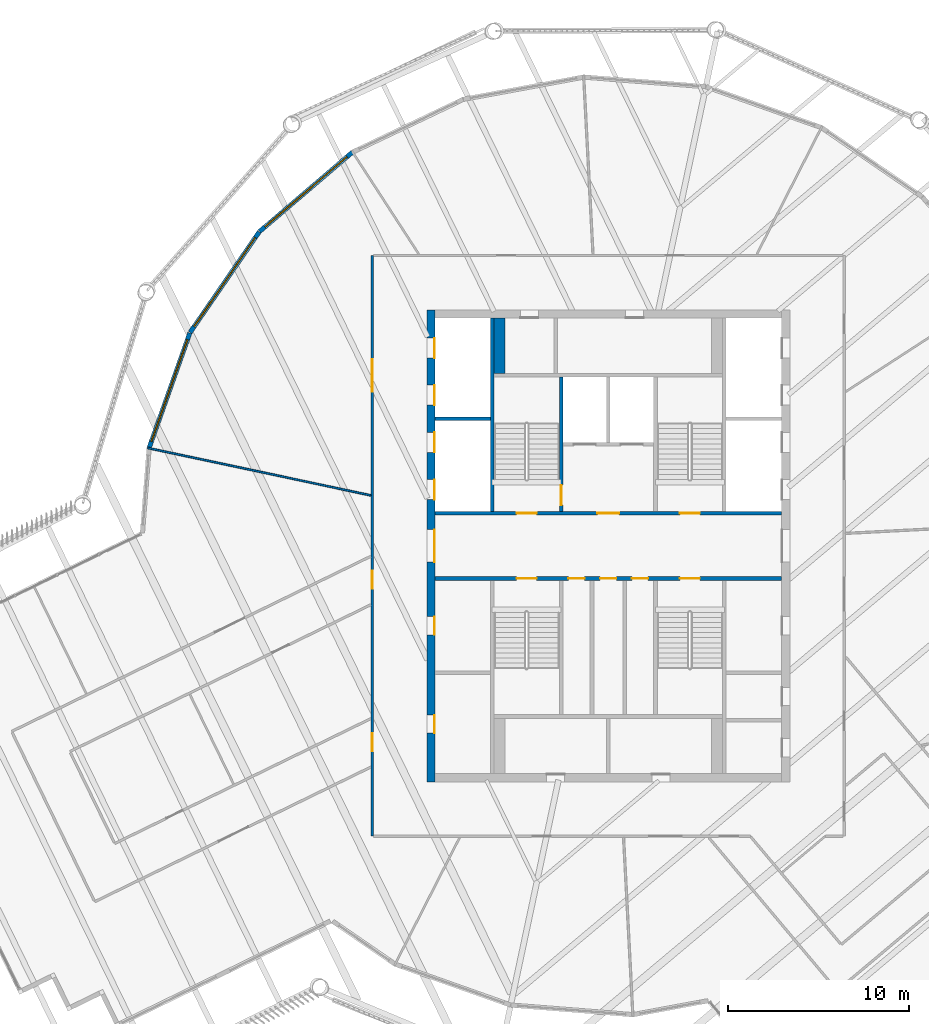
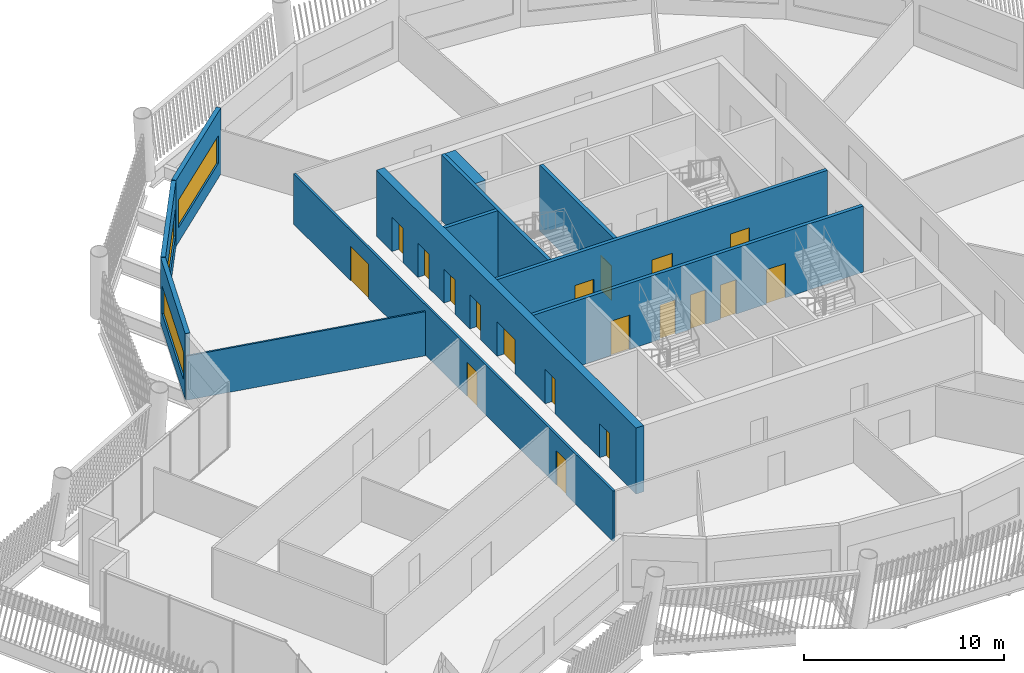
# One storey, part 21 of 31: 19 doors, 12 walls, 3 windows, 22 openings.
"""IFC4 building model written with IfcOpenShell, lengths in metres."""

from ifc_helpers import new_model, si_unit, direction, frame, frame_2d, origin, place, context, subcontext, project, spatial, rectangle, extrude, material, layer, layer_set, type_object, element, fill, save


model = new_model("IFC4")

# Units and contexts
model_context = context("Model", 3, precision=1e-05, world=origin(), true_north=direction((0.0, 1.0)))
body_context = subcontext(model_context, "Body", "Model", "MODEL_VIEW")
ifc_project = project(units=[si_unit("LENGTHUNIT", "METRE"), si_unit("AREAUNIT", "SQUARE_METRE"), si_unit("VOLUMEUNIT", "CUBIC_METRE"), si_unit("PLANEANGLEUNIT", "RADIAN"), si_unit("MASSUNIT", "GRAM", prefix="KILO")], contexts=[model_context])

# Site, building, storey
site_placement = place(None, origin())
site = spatial("IfcSite", under=ifc_project, at=site_placement, CompositionType="ELEMENT")
building_placement = place(site_placement, origin())
building = spatial("IfcBuilding", under=site, at=building_placement, Name="Tarsis Ring Headquarters", CompositionType="ELEMENT")
storey_placement = place(building_placement, frame((0.0, 0.0, 390.199951171875)))
storey = spatial("IfcBuildingStorey", under=building, at=storey_placement, Name="L92", CompositionType="ELEMENT", Elevation=390.199951171875)

# Wall, openings, doors
ifc_material_1 = material(Name="Concrete C50/60", Category="concrete")
ifc_layer_1 = layer(ifc_material_1, 0.449951171875)
ifc_layer_set_1 = layer_set([ifc_layer_1], Name="Core wall 450 C50/60")
wall_type_1 = type_object("IfcWallType", Name="Core wall 450 C50/60", PredefinedType="SHEAR", material=ifc_layer_set_1)
wall_1_placement = place(storey_placement, frame((-9.77490234375, -13.0, 0.0), z_axis=(0.0, 0.0, 1.0), x_axis=(0.0, 1.0, 0.0)))
wall_1 = element("IfcWall", 1, at=wall_1_placement, inside=storey, type_object=wall_type_1, Name="Core wall OW", PredefinedType="SHEAR", context=body_context, shape_type="SweptSolid", body=[
    extrude(rectangle(XDim=26.0, YDim=0.449951171875, at=frame_2d((13.0, 0.0))), origin(), (0.0, 0.0, 1.0), 4.0400390625),
])
opening_1_placement = place(wall_1_placement, frame((2.675048828125, 0.0, 0.0)))
opening_1 = element("IfcOpeningElement", 2, at=opening_1_placement, cuts=wall_1, Name="Opening L92-C01", PredefinedType="OPENING", context=body_context, shape_type="SweptSolid", body=[
    extrude(rectangle(XDim=1.0, YDim=2.10009765625, at=frame_2d((0.5, 1.050048828125))), frame((0.0, 0.23486328125, 0.0), z_axis=(0.0, -1.0, 0.0), x_axis=(1.0, 0.0, 0.0)), (0.0, 0.0, 1.0), 0.469970703125),
])
opening_2_placement = place(wall_1_placement, frame((8.10009765625, 0.0, 0.0)))
opening_2 = element("IfcOpeningElement", 3, at=opening_2_placement, cuts=wall_1, Name="Opening L92-C02", PredefinedType="OPENING", context=body_context, shape_type="SweptSolid", body=[
    extrude(rectangle(XDim=1.0, YDim=2.10009765625, at=frame_2d((0.5, 1.050048828125))), frame((0.0, 0.23486328125, 0.0), z_axis=(0.0, -1.0, 0.0), x_axis=(1.0, 0.0, 0.0)), (0.0, 0.0, 1.0), 0.469970703125),
])
opening_3_placement = place(wall_1_placement, frame((12.10009765625, 0.0, 0.0)))
opening_3 = element("IfcOpeningElement", 4, at=opening_3_placement, cuts=wall_1, Name="Opening L92-C03", PredefinedType="OPENING", context=body_context, shape_type="SweptSolid", body=[
    extrude(rectangle(XDim=1.800048828125, YDim=2.10009765625, at=frame_2d((0.89990234375, 1.050048828125))), frame((0.0, 0.23486328125, 0.0), z_axis=(0.0, -1.0, 0.0), x_axis=(1.0, 0.0, 0.0)), (0.0, 0.0, 1.0), 0.469970703125),
])
opening_4_placement = place(wall_1_placement, frame((15.550048828125, 0.0, 0.0)))
opening_4 = element("IfcOpeningElement", 5, at=opening_4_placement, cuts=wall_1, Name="Opening LD-HR1", PredefinedType="OPENING", context=body_context, shape_type="SweptSolid", body=[
    extrude(rectangle(XDim=1.10009765625, YDim=2.10009765625, at=frame_2d((0.550048828125, 1.050048828125))), frame((0.0, 0.23486328125, 0.0), z_axis=(0.0, -1.0, 0.0), x_axis=(1.0, 0.0, 0.0)), (0.0, 0.0, 1.0), 0.469970703125),
])
opening_5_placement = place(wall_1_placement, frame((18.14990234375, 0.0, 0.0)))
opening_5 = element("IfcOpeningElement", 6, at=opening_5_placement, cuts=wall_1, Name="Opening LD-HR2", PredefinedType="OPENING", context=body_context, shape_type="SweptSolid", body=[
    extrude(rectangle(XDim=1.10009765625, YDim=2.10009765625, at=frame_2d((0.550048828125, 1.050048828125))), frame((0.0, 0.23486328125, 0.0), z_axis=(0.0, -1.0, 0.0), x_axis=(1.0, 0.0, 0.0)), (0.0, 0.0, 1.0), 0.469970703125),
])
opening_6_placement = place(wall_1_placement, frame((20.75, 0.0, 0.0)))
opening_6 = element("IfcOpeningElement", 7, at=opening_6_placement, cuts=wall_1, Name="Opening LD-HR3", PredefinedType="OPENING", context=body_context, shape_type="SweptSolid", body=[
    extrude(rectangle(XDim=1.10009765625, YDim=2.10009765625, at=frame_2d((0.550048828125, 1.050048828125))), frame((0.0, 0.23486328125, 0.0), z_axis=(0.0, -1.0, 0.0), x_axis=(1.0, 0.0, 0.0)), (0.0, 0.0, 1.0), 0.469970703125),
])
opening_7_placement = place(wall_1_placement, frame((23.35009765625, 0.0, 0.0)))
opening_7 = element("IfcOpeningElement", 8, at=opening_7_placement, cuts=wall_1, Name="Opening LD-HR4", PredefinedType="OPENING", context=body_context, shape_type="SweptSolid", body=[
    extrude(rectangle(XDim=1.10009765625, YDim=2.10009765625, at=frame_2d((0.550048828125, 1.050048828125))), frame((0.0, 0.23486328125, 0.0), z_axis=(0.0, -1.0, 0.0), x_axis=(1.0, 0.0, 0.0)), (0.0, 0.0, 1.0), 0.469970703125),
])
ifc_material_2 = material(Name="Steel S355", Category="steel")
door_type_1 = type_object("IfcDoorType", Name="Core entry door 1800x2100", OperationType="DOUBLE_DOOR_SINGLE_SWING", PredefinedType="DOOR", material=ifc_material_2)
door_1_placement = place(opening_3_placement, origin())
door_1 = element("IfcDoor", 9, at=door_1_placement, inside=storey, type_object=door_type_1, Name="Core entry door L92", OperationType="DOUBLE_DOOR_SINGLE_SWING", OverallHeight=2.10009765625, OverallWidth=1.800048828125, PredefinedType="DOOR", context=body_context, shape_type="SweptSolid", body=[
    extrude(rectangle(XDim=1.800048828125, YDim=2.10009765625, at=frame_2d((0.89990234375, 1.050048828125))), frame((0.0, -0.1748046875, 0.0), z_axis=(0.0, -1.0, 0.0), x_axis=(1.0, 0.0, 0.0)), (0.0, 0.0, 1.0), 0.050048828125),
])
fill(opening_3, door_1)
door_type_2 = type_object("IfcDoorType", Name="Core room door 1000x2100", OperationType="SINGLE_SWING_LEFT", PredefinedType="DOOR", material=ifc_material_2)
door_2_placement = place(opening_1_placement, origin())
door_2 = element("IfcDoor", 10, at=door_2_placement, inside=storey, type_object=door_type_2, Name="Core room door L92", OperationType="SINGLE_SWING_LEFT", OverallHeight=2.10009765625, OverallWidth=1.0, PredefinedType="DOOR", context=body_context, shape_type="SweptSolid", body=[
    extrude(rectangle(XDim=1.0, YDim=2.10009765625, at=frame_2d((0.5, 1.050048828125))), frame((0.0, -0.1748046875, 0.0), z_axis=(0.0, -1.0, 0.0), x_axis=(1.0, 0.0, 0.0)), (0.0, 0.0, 1.0), 0.050048828125),
])
fill(opening_1, door_2)
door_3_placement = place(opening_2_placement, origin())
door_3 = element("IfcDoor", 11, at=door_3_placement, inside=storey, type_object=door_type_2, Name="Core room door L92", OperationType="SINGLE_SWING_LEFT", OverallHeight=2.10009765625, OverallWidth=1.0, PredefinedType="DOOR", context=body_context, shape_type="SweptSolid", body=[
    extrude(rectangle(XDim=1.0, YDim=2.10009765625, at=frame_2d((0.5, 1.050048828125))), frame((0.0, -0.1748046875, 0.0), z_axis=(0.0, -1.0, 0.0), x_axis=(1.0, 0.0, 0.0)), (0.0, 0.0, 1.0), 0.050048828125),
])
fill(opening_2, door_3)
door_type_3 = type_object("IfcDoorType", Name="Landing door 1100x2100", OperationType="SLIDING_TO_LEFT", PredefinedType="DOOR", material=ifc_material_2)
door_4_placement = place(opening_4_placement, origin())
door_4 = element("IfcDoor", 12, at=door_4_placement, inside=storey, type_object=door_type_3, Name="Landing door HR1 L92", OperationType="SLIDING_TO_LEFT", OverallHeight=2.10009765625, OverallWidth=1.10009765625, PredefinedType="DOOR", context=body_context, shape_type="SweptSolid", body=[
    extrude(rectangle(XDim=1.10009765625, YDim=2.10009765625, at=frame_2d((0.550048828125, 1.050048828125))), frame((0.0, -0.1748046875, 0.0), z_axis=(0.0, -1.0, 0.0), x_axis=(1.0, 0.0, 0.0)), (0.0, 0.0, 1.0), 0.050048828125),
])
fill(opening_4, door_4)
door_5_placement = place(opening_5_placement, origin())
door_5 = element("IfcDoor", 13, at=door_5_placement, inside=storey, type_object=door_type_3, Name="Landing door HR2 L92", OperationType="SLIDING_TO_LEFT", OverallHeight=2.10009765625, OverallWidth=1.10009765625, PredefinedType="DOOR", context=body_context, shape_type="SweptSolid", body=[
    extrude(rectangle(XDim=1.10009765625, YDim=2.10009765625, at=frame_2d((0.550048828125, 1.050048828125))), frame((0.0, -0.1748046875, 0.0), z_axis=(0.0, -1.0, 0.0), x_axis=(1.0, 0.0, 0.0)), (0.0, 0.0, 1.0), 0.050048828125),
])
fill(opening_5, door_5)
door_6_placement = place(opening_6_placement, origin())
door_6 = element("IfcDoor", 14, at=door_6_placement, inside=storey, type_object=door_type_3, Name="Landing door HR3 L92", OperationType="SLIDING_TO_LEFT", OverallHeight=2.10009765625, OverallWidth=1.10009765625, PredefinedType="DOOR", context=body_context, shape_type="SweptSolid", body=[
    extrude(rectangle(XDim=1.10009765625, YDim=2.10009765625, at=frame_2d((0.550048828125, 1.050048828125))), frame((0.0, -0.1748046875, 0.0), z_axis=(0.0, -1.0, 0.0), x_axis=(1.0, 0.0, 0.0)), (0.0, 0.0, 1.0), 0.050048828125),
])
fill(opening_6, door_6)
door_7_placement = place(opening_7_placement, origin())
door_7 = element("IfcDoor", 15, at=door_7_placement, inside=storey, type_object=door_type_3, Name="Landing door HR4 L92", OperationType="SLIDING_TO_LEFT", OverallHeight=2.10009765625, OverallWidth=1.10009765625, PredefinedType="DOOR", context=body_context, shape_type="SweptSolid", body=[
    extrude(rectangle(XDim=1.10009765625, YDim=2.10009765625, at=frame_2d((0.550048828125, 1.050048828125))), frame((0.0, -0.1748046875, 0.0), z_axis=(0.0, -1.0, 0.0), x_axis=(1.0, 0.0, 0.0)), (0.0, 0.0, 1.0), 0.050048828125),
])
fill(opening_7, door_7)

# Wall
ifc_material_3 = material(Name="Gypsum board on steel studs", Category="steel")
ifc_layer_2 = layer(ifc_material_3, 0.10009765625)
ifc_layer_set_2 = layer_set([ifc_layer_2], Name="FL partition 100 unrated")
wall_type_2 = type_object("IfcWallType", Name="FL partition 100 unrated", PredefinedType="PARTITIONING", material=ifc_layer_set_2)
wall_2_placement = place(storey_placement, frame((-25.380859375, 5.39501953125, 0.0), z_axis=(0.0, 0.0, 1.0), x_axis=(0.978145391621, -0.207922083603, 0.0)))
element("IfcWall", 16, at=wall_2_placement, inside=storey, type_object=wall_type_2, Name="Partition PW3", PredefinedType="PARTITIONING", context=body_context, shape_type="SweptSolid", body=[
    extrude(rectangle(XDim=12.58740234375, YDim=0.10009765625, at=frame_2d((6.293701171875, 0.0))), origin(), (0.0, 0.0, 1.0), 2.699951171875),
])

# Wall, openings, doors
ifc_layer_3 = layer(ifc_material_3, 0.125)
ifc_layer_set_3 = layer_set([ifc_layer_3], Name="FL partition 125 EI 60 H3070")
wall_type_3 = type_object("IfcWallType", Name="FL partition 125 EI 60 H3070", PredefinedType="PARTITIONING", material=ifc_layer_set_3)
wall_3_placement = place(storey_placement, frame((-13.0, -16.0, 0.0), z_axis=(0.0, 0.0, 1.0), x_axis=(0.0, 1.0, 0.0)))
wall_3 = element("IfcWall", 17, at=wall_3_placement, inside=storey, type_object=wall_type_3, Name="Partition PW1H307", PredefinedType="PARTITIONING", context=body_context, shape_type="SweptSolid", body=[
    extrude(rectangle(XDim=32.0, YDim=0.125, at=frame_2d((16.0, 0.0))), origin(), (0.0, 0.0, 1.0), 3.070068359375),
])
opening_8_placement = place(wall_3_placement, frame((24.481689453125, 0.0, 0.0)))
opening_8 = element("IfcOpeningElement", 18, at=opening_8_placement, cuts=wall_3, Name="Opening D92.03", PredefinedType="OPENING", context=body_context, shape_type="SweptSolid", body=[
    extrude(rectangle(XDim=1.800048828125, YDim=2.10009765625, at=frame_2d((0.89990234375, 1.050048828125))), frame((0.0, 0.072509765625, 0.0), z_axis=(0.0, -1.0, 0.0), x_axis=(1.0, 0.0, 0.0)), (0.0, 0.0, 1.0), 0.14501953125),
])
opening_9_placement = place(wall_3_placement, frame((4.686767578125, 0.0, 0.0)))
opening_9 = element("IfcOpeningElement", 19, at=opening_9_placement, cuts=wall_3, Name="Opening D92.17", PredefinedType="OPENING", context=body_context, shape_type="SweptSolid", body=[
    extrude(rectangle(XDim=1.0, YDim=2.10009765625, at=frame_2d((0.5, 1.050048828125))), frame((0.0, 0.072509765625, 0.0), z_axis=(0.0, -1.0, 0.0), x_axis=(1.0, 0.0, 0.0)), (0.0, 0.0, 1.0), 0.14501953125),
])
opening_10_placement = place(wall_3_placement, frame((13.632080078125, 0.0, 0.0)))
opening_10 = element("IfcOpeningElement", 20, at=opening_10_placement, cuts=wall_3, Name="Opening D92.18", PredefinedType="OPENING", context=body_context, shape_type="SweptSolid", body=[
    extrude(rectangle(XDim=1.0, YDim=2.10009765625, at=frame_2d((0.5, 1.050048828125))), frame((0.0, 0.072509765625, 0.0), z_axis=(0.0, -1.0, 0.0), x_axis=(1.0, 0.0, 0.0)), (0.0, 0.0, 1.0), 0.14501953125),
])
ifc_material_4 = material(Name="Fire-rated timber door leaf in steel frame", Category="steel")
door_type_4 = type_object("IfcDoorType", Name="FL door FD60-1000", OperationType="NOTDEFINED", PredefinedType="DOOR", material=ifc_material_4)
door_8_placement = place(opening_9_placement, origin())
door_8 = element("IfcDoor", 21, at=door_8_placement, inside=storey, type_object=door_type_4, Name="Door D92.17", OperationType="SINGLE_SWING_LEFT", OverallHeight=2.10009765625, OverallWidth=1.0, PredefinedType="DOOR", context=body_context, shape_type="SweptSolid", body=[
    extrude(rectangle(XDim=1.0, YDim=2.10009765625, at=frame_2d((0.5, 1.050048828125))), frame((0.0, 0.02490234375, 0.0), z_axis=(0.0, -1.0, 0.0), x_axis=(1.0, 0.0, 0.0)), (0.0, 0.0, 1.0), 0.050048828125),
])
fill(opening_9, door_8)
door_9_placement = place(opening_10_placement, origin())
door_9 = element("IfcDoor", 22, at=door_9_placement, inside=storey, type_object=door_type_4, Name="Door D92.18", OperationType="SINGLE_SWING_RIGHT", OverallHeight=2.10009765625, OverallWidth=1.0, PredefinedType="DOOR", context=body_context, shape_type="SweptSolid", body=[
    extrude(rectangle(XDim=1.0, YDim=2.10009765625, at=frame_2d((0.5, 1.050048828125))), frame((0.0, 0.02490234375, 0.0), z_axis=(0.0, -1.0, 0.0), x_axis=(1.0, 0.0, 0.0)), (0.0, 0.0, 1.0), 0.050048828125),
])
fill(opening_10, door_9)
door_type_5 = type_object("IfcDoorType", Name="FL door FD60-1800", OperationType="DOUBLE_DOOR_SINGLE_SWING", PredefinedType="DOOR", material=ifc_material_4)
door_10_placement = place(opening_8_placement, origin())
door_10 = element("IfcDoor", 23, at=door_10_placement, inside=storey, type_object=door_type_5, Name="Door D92.03", OperationType="DOUBLE_DOOR_SINGLE_SWING", OverallHeight=2.10009765625, OverallWidth=1.800048828125, PredefinedType="DOOR", context=body_context, shape_type="SweptSolid", body=[
    extrude(rectangle(XDim=1.800048828125, YDim=2.10009765625, at=frame_2d((0.89990234375, 1.050048828125))), frame((0.0, 0.02490234375, 0.0), z_axis=(0.0, -1.0, 0.0), x_axis=(1.0, 0.0, 0.0)), (0.0, 0.0, 1.0), 0.050048828125),
])
fill(opening_8, door_10)

# Wall, opening, window
ifc_material_5 = material(Name="Terracotta clad insulated panel wall", Category="masonry")
ifc_layer_4 = layer(ifc_material_5, 0.25)
ifc_layer_set_4 = layer_set([ifc_layer_4], Name="Facade wall terracotta panel 250")
wall_type_4 = type_object("IfcWallType", Name="Facade wall terracotta panel 250", PredefinedType="STANDARD", material=ifc_layer_set_4)
wall_4_placement = place(storey_placement, frame((-14.1044921875, 21.68896484375, 0.0), z_axis=(0.0, 0.0, 1.0), x_axis=(-0.760409179115, -0.649444285769, 0.0)))
wall_4 = element("IfcWall", 24, at=wall_4_placement, inside=storey, type_object=wall_type_4, Name="External wall L92-27", PredefinedType="STANDARD", context=body_context, shape_type="SweptSolid", body=[
    extrude(rectangle(XDim=6.721435546875, YDim=0.25, at=frame_2d((3.36083984375, 0.0))), origin(), (0.0, 0.0, 1.0), 4.0400390625),
])
opening_11_placement = place(wall_4_placement, frame((0.3857421875, 0.0, 0.89990234375)))
opening_11 = element("IfcOpeningElement", 25, at=opening_11_placement, cuts=wall_4, Name="Opening WN07", PredefinedType="OPENING", context=body_context, shape_type="SweptSolid", body=[
    extrude(rectangle(XDim=5.949951171875, YDim=1.699951171875, at=frame_2d((2.97509765625, 0.85009765625))), frame((0.0, 0.135009765625, 0.0), z_axis=(0.0, -1.0, 0.0), x_axis=(1.0, 0.0, 0.0)), (0.0, 0.0, 1.0), 0.27001953125),
])
ifc_material_6 = material(Name="Aluminium framed double glazing", Category="aluminium")
window_type = type_object("IfcWindowType", Name="Facade window 5950 x 1700", PartitioningType="SINGLE_PANEL", PredefinedType="WINDOW", material=ifc_material_6)
window_1_placement = place(opening_11_placement, origin())
window_1 = element("IfcWindow", 26, at=window_1_placement, inside=storey, type_object=window_type, Name="Window L92-27.1", OverallHeight=1.699951171875, OverallWidth=5.949951171875, PartitioningType="SINGLE_PANEL", PredefinedType="WINDOW", context=body_context, shape_type="SweptSolid", body=[
    extrude(rectangle(XDim=5.949951171875, YDim=1.699951171875, at=frame_2d((2.97509765625, 0.85009765625))), frame((0.0, 0.030029296875, 0.0), z_axis=(0.0, -1.0, 0.0), x_axis=(1.0, 0.0, 0.0)), (0.0, 0.0, 1.0), 0.06005859375),
])
fill(opening_11, window_1)

wall_5_placement = place(storey_placement, frame((-19.2373046875, 17.299560546875, 0.0), z_axis=(0.0, 0.0, 1.0), x_axis=(-0.566396247185, -0.824133054291, 0.0)))
wall_5 = element("IfcWall", 27, at=wall_5_placement, inside=storey, type_object=wall_type_4, Name="External wall L92-28", PredefinedType="STANDARD", context=body_context, shape_type="SweptSolid", body=[
    extrude(rectangle(XDim=6.7216796875, YDim=0.25, at=frame_2d((3.36083984375, 0.0))), origin(), (0.0, 0.0, 1.0), 4.0400390625),
])
opening_12_placement = place(wall_5_placement, frame((0.3857421875, 0.0, 0.89990234375)))
opening_12 = element("IfcOpeningElement", 28, at=opening_12_placement, cuts=wall_5, Name="Opening WN07", PredefinedType="OPENING", context=body_context, shape_type="SweptSolid", body=[
    extrude(rectangle(XDim=5.949951171875, YDim=1.699951171875, at=frame_2d((2.97509765625, 0.85009765625))), frame((0.0, 0.135009765625, 0.0), z_axis=(0.0, -1.0, 0.0), x_axis=(1.0, 0.0, 0.0)), (0.0, 0.0, 1.0), 0.27001953125),
])
window_2_placement = place(opening_12_placement, origin())
window_2 = element("IfcWindow", 29, at=window_2_placement, inside=storey, type_object=window_type, Name="Window L92-28.1", OverallHeight=1.699951171875, OverallWidth=5.949951171875, PartitioningType="SINGLE_PANEL", PredefinedType="WINDOW", context=body_context, shape_type="SweptSolid", body=[
    extrude(rectangle(XDim=5.949951171875, YDim=1.699951171875, at=frame_2d((2.97509765625, 0.85009765625))), frame((0.0, 0.030029296875, 0.0), z_axis=(0.0, -1.0, 0.0), x_axis=(1.0, 0.0, 0.0)), (0.0, 0.0, 1.0), 0.06005859375),
])
fill(opening_12, window_2)

wall_6_placement = place(storey_placement, frame((-23.059326171875, 11.73095703125, 0.0), z_axis=(0.0, 0.0, 1.0), x_axis=(-0.333804109567, -0.942642464796, 0.0)))
wall_6 = element("IfcWall", 30, at=wall_6_placement, inside=storey, type_object=wall_type_4, Name="External wall L92-29", PredefinedType="STANDARD", context=body_context, shape_type="SweptSolid", body=[
    extrude(rectangle(XDim=6.721435546875, YDim=0.25, at=frame_2d((3.36083984375, 0.0))), origin(), (0.0, 0.0, 1.0), 4.0400390625),
])
opening_13_placement = place(wall_6_placement, frame((0.3857421875, 0.0, 0.89990234375)))
opening_13 = element("IfcOpeningElement", 31, at=opening_13_placement, cuts=wall_6, Name="Opening WN07", PredefinedType="OPENING", context=body_context, shape_type="SweptSolid", body=[
    extrude(rectangle(XDim=5.949951171875, YDim=1.699951171875, at=frame_2d((2.97509765625, 0.85009765625))), frame((0.0, 0.135009765625, 0.0), z_axis=(0.0, -1.0, 0.0), x_axis=(1.0, 0.0, 0.0)), (0.0, 0.0, 1.0), 0.27001953125),
])
window_3_placement = place(opening_13_placement, origin())
window_3 = element("IfcWindow", 32, at=window_3_placement, inside=storey, type_object=window_type, Name="Window L92-29.1", OverallHeight=1.699951171875, OverallWidth=5.949951171875, PartitioningType="SINGLE_PANEL", PredefinedType="WINDOW", context=body_context, shape_type="SweptSolid", body=[
    extrude(rectangle(XDim=5.949951171875, YDim=1.699951171875, at=frame_2d((2.97509765625, 0.85009765625))), frame((0.0, 0.030029296875, 0.0), z_axis=(0.0, -1.0, 0.0), x_axis=(1.0, 0.0, 0.0)), (0.0, 0.0, 1.0), 0.06005859375),
])
fill(opening_13, window_3)

# Wall
ifc_material_7 = material(Name="Concrete C32/40", Category="concrete")
ifc_layer_5 = layer(ifc_material_7, 0.60009765625)
ifc_layer_set_5 = layer_set([ifc_layer_5], Name="Shaft end wall 600 C32/40")
wall_type_5 = type_object("IfcWallType", Name="Shaft end wall 600 C32/40", PredefinedType="SOLIDWALL", material=ifc_layer_set_5)
wall_7_placement = place(storey_placement, frame((-6.0, 9.5, 0.0), z_axis=(0.0, 0.0, 1.0), x_axis=(0.0, 1.0, 0.0)))
element("IfcWall", 33, at=wall_7_placement, inside=storey, type_object=wall_type_5, Name="Core shaft wall NNE1", PredefinedType="SOLIDWALL", context=body_context, shape_type="SweptSolid", body=[
    extrude(rectangle(XDim=3.050048828125, YDim=0.60009765625, at=frame_2d((1.52490234375, 0.0))), origin(), (0.0, 0.0, 1.0), 4.0400390625),
])

# Wall, openings, doors
ifc_layer_6 = layer(ifc_material_7, 0.199951171875)
ifc_layer_set_6 = layer_set([ifc_layer_6], Name="Shaft wall 200 C32/40")
wall_type_6 = type_object("IfcWallType", Name="Shaft wall 200 C32/40", PredefinedType="SOLIDWALL", material=ifc_layer_set_6)
wall_8_placement = place(storey_placement, frame((-9.550048828125, 1.800048828125, 0.0), z_axis=(0.0, 0.0, 1.0), x_axis=(1.0, 0.0, 0.0)))
wall_8 = element("IfcWall", 34, at=wall_8_placement, inside=storey, type_object=wall_type_6, Name="Core shaft wall CN", PredefinedType="SOLIDWALL", context=body_context, shape_type="SweptSolid", body=[
    extrude(rectangle(XDim=19.10009765625, YDim=0.199951171875, at=frame_2d((9.550048828125, 0.0))), origin(), (0.0, 0.0, 1.0), 4.0400390625),
])
opening_14_placement = place(wall_8_placement, frame((4.5, 0.0, 0.0)))
opening_14 = element("IfcOpeningElement", 35, at=opening_14_placement, cuts=wall_8, Name="Opening L92-C20", PredefinedType="OPENING", context=body_context, shape_type="SweptSolid", body=[
    extrude(rectangle(XDim=1.10009765625, YDim=2.10009765625, at=frame_2d((0.550048828125, 1.050048828125))), frame((0.0, 0.10986328125, 0.0), z_axis=(0.0, -1.0, 0.0), x_axis=(1.0, 0.0, 0.0)), (0.0, 0.0, 1.0), 0.219970703125),
])
opening_15_placement = place(wall_8_placement, frame((8.949951171875, 0.0, 0.0)))
opening_15 = element("IfcOpeningElement", 36, at=opening_15_placement, cuts=wall_8, Name="Opening L92-C21", PredefinedType="OPENING", context=body_context, shape_type="SweptSolid", body=[
    extrude(rectangle(XDim=1.199951171875, YDim=2.10009765625, at=frame_2d((0.60009765625, 1.050048828125))), frame((0.0, 0.10986328125, 0.0), z_axis=(0.0, -1.0, 0.0), x_axis=(1.0, 0.0, 0.0)), (0.0, 0.0, 1.0), 0.219970703125),
])
opening_16_placement = place(wall_8_placement, frame((13.5, 0.0, 0.0)))
opening_16 = element("IfcOpeningElement", 37, at=opening_16_placement, cuts=wall_8, Name="Opening L92-C22", PredefinedType="OPENING", context=body_context, shape_type="SweptSolid", body=[
    extrude(rectangle(XDim=1.10009765625, YDim=2.10009765625, at=frame_2d((0.550048828125, 1.050048828125))), frame((0.0, 0.10986328125, 0.0), z_axis=(0.0, -1.0, 0.0), x_axis=(1.0, 0.0, 0.0)), (0.0, 0.0, 1.0), 0.219970703125),
])
door_type_6 = type_object("IfcDoorType", Name="Firefighting lobby door 1200x2100", OperationType="DOUBLE_DOOR_SINGLE_SWING", PredefinedType="DOOR", material=ifc_material_2)
door_11_placement = place(opening_15_placement, origin())
door_11 = element("IfcDoor", 38, at=door_11_placement, inside=storey, type_object=door_type_6, Name="Firefighting lobby door L92", OperationType="DOUBLE_DOOR_SINGLE_SWING", OverallHeight=2.10009765625, OverallWidth=1.199951171875, PredefinedType="DOOR", context=body_context, shape_type="SweptSolid", body=[
    extrude(rectangle(XDim=1.199951171875, YDim=2.10009765625, at=frame_2d((0.60009765625, 1.050048828125))), frame((0.0, 0.02490234375, 0.0), z_axis=(0.0, -1.0, 0.0), x_axis=(1.0, 0.0, 0.0)), (0.0, 0.0, 1.0), 0.050048828125),
])
fill(opening_15, door_11)
door_type_7 = type_object("IfcDoorType", Name="Stair door 1100x2100", OperationType="SINGLE_SWING_LEFT", PredefinedType="DOOR", material=ifc_material_2)
door_12_placement = place(opening_14_placement, origin())
door_12 = element("IfcDoor", 39, at=door_12_placement, inside=storey, type_object=door_type_7, Name="Stair door L92", OperationType="SINGLE_SWING_LEFT", OverallHeight=2.10009765625, OverallWidth=1.10009765625, PredefinedType="DOOR", context=body_context, shape_type="SweptSolid", body=[
    extrude(rectangle(XDim=1.10009765625, YDim=2.10009765625, at=frame_2d((0.550048828125, 1.050048828125))), frame((0.0, 0.02490234375, 0.0), z_axis=(0.0, -1.0, 0.0), x_axis=(1.0, 0.0, 0.0)), (0.0, 0.0, 1.0), 0.050048828125),
])
fill(opening_14, door_12)
door_13_placement = place(opening_16_placement, origin())
door_13 = element("IfcDoor", 40, at=door_13_placement, inside=storey, type_object=door_type_7, Name="Stair door L92", OperationType="SINGLE_SWING_LEFT", OverallHeight=2.10009765625, OverallWidth=1.10009765625, PredefinedType="DOOR", context=body_context, shape_type="SweptSolid", body=[
    extrude(rectangle(XDim=1.10009765625, YDim=2.10009765625, at=frame_2d((0.550048828125, 1.050048828125))), frame((0.0, 0.02490234375, 0.0), z_axis=(0.0, -1.0, 0.0), x_axis=(1.0, 0.0, 0.0)), (0.0, 0.0, 1.0), 0.050048828125),
])
fill(opening_16, door_13)

wall_9_placement = place(storey_placement, frame((-9.550048828125, -1.800048828125, 0.0), z_axis=(0.0, 0.0, 1.0), x_axis=(1.0, 0.0, 0.0)))
wall_9 = element("IfcWall", 41, at=wall_9_placement, inside=storey, type_object=wall_type_6, Name="Core shaft wall CS", PredefinedType="SOLIDWALL", context=body_context, shape_type="SweptSolid", body=[
    extrude(rectangle(XDim=19.10009765625, YDim=0.199951171875, at=frame_2d((9.550048828125, 0.0))), origin(), (0.0, 0.0, 1.0), 4.0400390625),
])
opening_17_placement = place(wall_9_placement, frame((4.5, 0.0, 0.0)))
opening_17 = element("IfcOpeningElement", 42, at=opening_17_placement, cuts=wall_9, Name="Opening L92-C23", PredefinedType="OPENING", context=body_context, shape_type="SweptSolid", body=[
    extrude(rectangle(XDim=1.10009765625, YDim=2.10009765625, at=frame_2d((0.550048828125, 1.050048828125))), frame((0.0, 0.10986328125, 0.0), z_axis=(0.0, -1.0, 0.0), x_axis=(1.0, 0.0, 0.0)), (0.0, 0.0, 1.0), 0.219970703125),
])
opening_18_placement = place(wall_9_placement, frame((7.35009765625, 0.0, 0.0)))
opening_18 = element("IfcOpeningElement", 43, at=opening_18_placement, cuts=wall_9, Name="Opening L92-C24", PredefinedType="OPENING", context=body_context, shape_type="SweptSolid", body=[
    extrude(rectangle(XDim=0.89990234375, YDim=2.10009765625, at=frame_2d((0.449951171875, 1.050048828125))), frame((0.0, 0.10986328125, 0.0), z_axis=(0.0, -1.0, 0.0), x_axis=(1.0, 0.0, 0.0)), (0.0, 0.0, 1.0), 0.219970703125),
])
opening_19_placement = place(wall_9_placement, frame((9.10009765625, 0.0, 0.0)))
opening_19 = element("IfcOpeningElement", 44, at=opening_19_placement, cuts=wall_9, Name="Opening L92-C25", PredefinedType="OPENING", context=body_context, shape_type="SweptSolid", body=[
    extrude(rectangle(XDim=0.89990234375, YDim=2.10009765625, at=frame_2d((0.449951171875, 1.050048828125))), frame((0.0, 0.10986328125, 0.0), z_axis=(0.0, -1.0, 0.0), x_axis=(1.0, 0.0, 0.0)), (0.0, 0.0, 1.0), 0.219970703125),
])
opening_20_placement = place(wall_9_placement, frame((10.85009765625, 0.0, 0.0)))
opening_20 = element("IfcOpeningElement", 45, at=opening_20_placement, cuts=wall_9, Name="Opening L92-C26", PredefinedType="OPENING", context=body_context, shape_type="SweptSolid", body=[
    extrude(rectangle(XDim=0.89990234375, YDim=2.10009765625, at=frame_2d((0.449951171875, 1.050048828125))), frame((0.0, 0.10986328125, 0.0), z_axis=(0.0, -1.0, 0.0), x_axis=(1.0, 0.0, 0.0)), (0.0, 0.0, 1.0), 0.219970703125),
])
opening_21_placement = place(wall_9_placement, frame((13.5, 0.0, 0.0)))
opening_21 = element("IfcOpeningElement", 46, at=opening_21_placement, cuts=wall_9, Name="Opening L92-C27", PredefinedType="OPENING", context=body_context, shape_type="SweptSolid", body=[
    extrude(rectangle(XDim=1.10009765625, YDim=2.10009765625, at=frame_2d((0.550048828125, 1.050048828125))), frame((0.0, 0.10986328125, 0.0), z_axis=(0.0, -1.0, 0.0), x_axis=(1.0, 0.0, 0.0)), (0.0, 0.0, 1.0), 0.219970703125),
])
door_14_placement = place(opening_17_placement, origin())
door_14 = element("IfcDoor", 47, at=door_14_placement, inside=storey, type_object=door_type_7, Name="Stair door L92", OperationType="SINGLE_SWING_LEFT", OverallHeight=2.10009765625, OverallWidth=1.10009765625, PredefinedType="DOOR", context=body_context, shape_type="SweptSolid", body=[
    extrude(rectangle(XDim=1.10009765625, YDim=2.10009765625, at=frame_2d((0.550048828125, 1.050048828125))), frame((0.0, 0.02490234375, 0.0), z_axis=(0.0, -1.0, 0.0), x_axis=(1.0, 0.0, 0.0)), (0.0, 0.0, 1.0), 0.050048828125),
])
fill(opening_17, door_14)
door_15_placement = place(opening_21_placement, origin())
door_15 = element("IfcDoor", 48, at=door_15_placement, inside=storey, type_object=door_type_7, Name="Stair door L92", OperationType="SINGLE_SWING_LEFT", OverallHeight=2.10009765625, OverallWidth=1.10009765625, PredefinedType="DOOR", context=body_context, shape_type="SweptSolid", body=[
    extrude(rectangle(XDim=1.10009765625, YDim=2.10009765625, at=frame_2d((0.550048828125, 1.050048828125))), frame((0.0, 0.02490234375, 0.0), z_axis=(0.0, -1.0, 0.0), x_axis=(1.0, 0.0, 0.0)), (0.0, 0.0, 1.0), 0.050048828125),
])
fill(opening_21, door_15)
door_type_8 = type_object("IfcDoorType", Name="WC door 900x2100", OperationType="SINGLE_SWING_LEFT", PredefinedType="DOOR", material=ifc_material_2)
door_16_placement = place(opening_18_placement, origin())
door_16 = element("IfcDoor", 49, at=door_16_placement, inside=storey, type_object=door_type_8, Name="WC door L92", OperationType="SINGLE_SWING_LEFT", OverallHeight=2.10009765625, OverallWidth=0.89990234375, PredefinedType="DOOR", context=body_context, shape_type="SweptSolid", body=[
    extrude(rectangle(XDim=0.89990234375, YDim=2.10009765625, at=frame_2d((0.449951171875, 1.050048828125))), frame((0.0, 0.02490234375, 0.0), z_axis=(0.0, -1.0, 0.0), x_axis=(1.0, 0.0, 0.0)), (0.0, 0.0, 1.0), 0.050048828125),
])
fill(opening_18, door_16)
door_17_placement = place(opening_19_placement, origin())
door_17 = element("IfcDoor", 50, at=door_17_placement, inside=storey, type_object=door_type_8, Name="WC door L92", OperationType="SINGLE_SWING_LEFT", OverallHeight=2.10009765625, OverallWidth=0.89990234375, PredefinedType="DOOR", context=body_context, shape_type="SweptSolid", body=[
    extrude(rectangle(XDim=0.89990234375, YDim=2.10009765625, at=frame_2d((0.449951171875, 1.050048828125))), frame((0.0, 0.02490234375, 0.0), z_axis=(0.0, -1.0, 0.0), x_axis=(1.0, 0.0, 0.0)), (0.0, 0.0, 1.0), 0.050048828125),
])
fill(opening_19, door_17)
door_18_placement = place(opening_20_placement, origin())
door_18 = element("IfcDoor", 51, at=door_18_placement, inside=storey, type_object=door_type_8, Name="WC door L92", OperationType="SINGLE_SWING_LEFT", OverallHeight=2.10009765625, OverallWidth=0.89990234375, PredefinedType="DOOR", context=body_context, shape_type="SweptSolid", body=[
    extrude(rectangle(XDim=0.89990234375, YDim=2.10009765625, at=frame_2d((0.449951171875, 1.050048828125))), frame((0.0, 0.02490234375, 0.0), z_axis=(0.0, -1.0, 0.0), x_axis=(1.0, 0.0, 0.0)), (0.0, 0.0, 1.0), 0.050048828125),
])
fill(opening_20, door_18)

# Wall
wall_10_placement = place(storey_placement, frame((-6.39990234375, 1.89990234375, 0.0), z_axis=(0.0, 0.0, 1.0), x_axis=(0.0, 1.0, 0.0)))
element("IfcWall", 52, at=wall_10_placement, inside=storey, type_object=wall_type_6, Name="Core shaft wall WB2", PredefinedType="SOLIDWALL", context=body_context, shape_type="SweptSolid", body=[
    extrude(rectangle(XDim=10.650146484375, YDim=0.199951171875, at=frame_2d((5.3251953125, 0.0))), origin(), (0.0, 0.0, 1.0), 4.0400390625),
])

# Wall, opening, door
wall_11_placement = place(storey_placement, frame((-2.60009765625, 1.89990234375, 0.0), z_axis=(0.0, 0.0, 1.0), x_axis=(0.0, 1.0, 0.0)))
wall_11 = element("IfcWall", 53, at=wall_11_placement, inside=storey, type_object=wall_type_6, Name="Core shaft wall SW1", PredefinedType="SOLIDWALL", context=body_context, shape_type="SweptSolid", body=[
    extrude(rectangle(XDim=7.400146484375, YDim=0.199951171875, at=frame_2d((3.7001953125, 0.0))), origin(), (0.0, 0.0, 1.0), 4.0400390625),
])
opening_22_placement = place(wall_11_placement, frame((0.35009765625, 0.0, 0.0)))
opening_22 = element("IfcOpeningElement", 54, at=opening_22_placement, cuts=wall_11, Name="Opening L92-C28", PredefinedType="OPENING", context=body_context, shape_type="SweptSolid", body=[
    extrude(rectangle(XDim=1.10009765625, YDim=2.10009765625, at=frame_2d((0.550048828125, 1.050048828125))), frame((0.0, 0.10986328125, 0.0), z_axis=(0.0, -1.0, 0.0), x_axis=(1.0, 0.0, 0.0)), (0.0, 0.0, 1.0), 0.219970703125),
])
door_19_placement = place(opening_22_placement, origin())
door_19 = element("IfcDoor", 55, at=door_19_placement, inside=storey, type_object=door_type_7, Name="Stair door L92", OperationType="SINGLE_SWING_LEFT", OverallHeight=2.10009765625, OverallWidth=1.10009765625, PredefinedType="DOOR", context=body_context, shape_type="SweptSolid", body=[
    extrude(rectangle(XDim=1.10009765625, YDim=2.10009765625, at=frame_2d((0.550048828125, 1.050048828125))), frame((0.0, 0.02490234375, 0.0), z_axis=(0.0, -1.0, 0.0), x_axis=(1.0, 0.0, 0.0)), (0.0, 0.0, 1.0), 0.050048828125),
])
fill(opening_22, door_19)

# Wall
wall_12_placement = place(storey_placement, frame((-9.550048828125, 7.0, 0.0), z_axis=(0.0, 0.0, 1.0), x_axis=(1.0, 0.0, 0.0)))
element("IfcWall", 56, at=wall_12_placement, inside=storey, type_object=wall_type_6, Name="Core shaft wall WD6", PredefinedType="SOLIDWALL", context=body_context, shape_type="SweptSolid", body=[
    extrude(rectangle(XDim=3.050048828125, YDim=0.199951171875, at=frame_2d((1.52490234375, 0.0))), origin(), (0.0, 0.0, 1.0), 4.0400390625),
])

save(model, "model.ifc")
